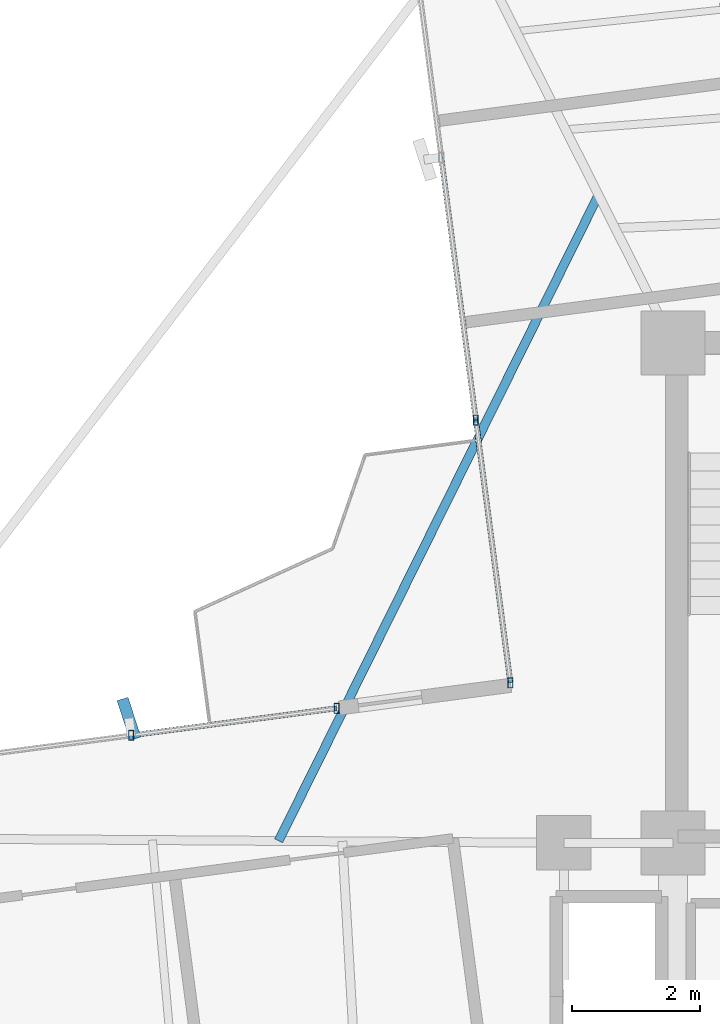
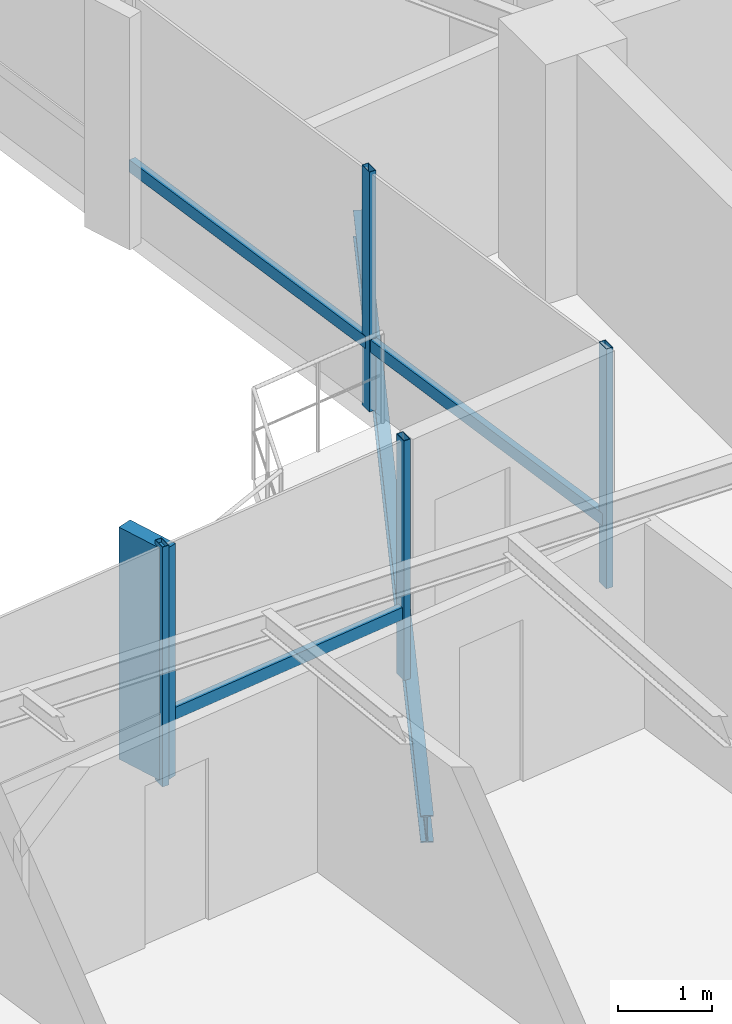
# One storey, part 8 of 22: 8 members, 1 beam, 2 elements without a shape of their own.
"""IFC4 building model written with IfcOpenShell, lengths in metres."""

from ifc_helpers import new_model, si_unit, direction, frame, origin, origin_2d, place, context, subcontext, project, spatial, rectangle, hollow_rectangle, i_section, extrude, source, transform, mapped, material, material_profile, profile_set, type_object, element, aggregate, save


model = new_model("IFC4")

# Units and contexts
model_context = context("Model", 3, precision=1e-05, world=origin(), true_north=direction((0.0, 1.0)))
body_context = subcontext(model_context, "Body", "Model", "MODEL_VIEW")
ifc_project = project(units=[si_unit("LENGTHUNIT", "METRE"), si_unit("AREAUNIT", "SQUARE_METRE"), si_unit("VOLUMEUNIT", "CUBIC_METRE"), si_unit("PLANEANGLEUNIT", "RADIAN"), si_unit("MASSUNIT", "GRAM", prefix="KILO")], contexts=[model_context])

# Site, building, storey
site_placement = place(None, origin())
site = spatial("IfcSite", under=ifc_project, at=site_placement, CompositionType="ELEMENT")
building_placement = place(site_placement, origin())
building = spatial("IfcBuilding", under=site, at=building_placement, Name="Sahyath Konkavel Grand Hotel", CompositionType="ELEMENT")
storey_placement = place(building_placement, frame((0.0, 0.0, 223.25)))
storey = spatial("IfcBuildingStorey", under=building, at=storey_placement, Name="L62", CompositionType="ELEMENT", Elevation=223.25)

# Curtain wall, member
ifc_material_1 = material(Name="Anodised Bronze Aluminium & Low-E Glazing", Category="aluminium")
curtain_wall_type = type_object("IfcCurtainWallType", Name="CW-ZONE4", PredefinedType="NOTDEFINED", material=ifc_material_1)
curtain_wall_1_placement = place(storey_placement, origin())
curtain_wall_1 = element("IfcCurtainWall", 1, at=curtain_wall_1_placement, inside=storey, type_object=curtain_wall_type, Name="L62 Unitised Curtain Wall F16", PredefinedType="NOTDEFINED")
ifc_material_2 = material(Name="Warm Buff Sandstone Cladding on Concrete C50/60", Category="masonry")
ifc_material_profile_1 = material_profile(ifc_material_2, rectangle(XDim=0.179931640625, YDim=0.64990234375, at=origin_2d()), Name="FIN 180x650")
ifc_profile_set_1 = profile_set([ifc_material_profile_1], Name="Warm Buff Sandstone Cladding on Concrete C50/60")
member_type_1 = type_object("IfcMemberType", Name="FIN-SANDSTONE-650", PredefinedType="MULLION", material=ifc_profile_set_1)
shared_shape_1 = source(origin(), body_context, "Body", "SweptSolid", [
    extrude(rectangle(XDim=0.179931640625, YDim=0.64990234375, at=origin_2d()), origin(), (0.0, 0.0, 1.0), 3.010009765625),
])
member_1_placement = place(storey_placement, frame((-12.28662109375, 4.33544921875, 0.050048828125), z_axis=(0.0, 0.0, 1.0), x_axis=(0.951648033235, 0.307190528564, 0.0)))
member_1 = element("IfcMember", 2, at=member_1_placement, type_object=member_type_1, Name="L62 Sandstone Vertical Solar Fin FIN F16-1", PredefinedType="MULLION", context=body_context, shape_type="MappedRepresentation", body=[
    mapped(shared_shape_1, transform((0.0, 0.0, 0.0), scale=1.0)),
])

# Curtain wall, members
curtain_wall_2_placement = place(storey_placement, origin())
curtain_wall_2 = element("IfcCurtainWall", 3, at=curtain_wall_2_placement, inside=storey, type_object=curtain_wall_type, Name="L62 Unitised Curtain Wall F15", PredefinedType="NOTDEFINED")
ifc_material_3 = material(Name="Anodised Bronze Aluminium", Category="aluminium")
ifc_material_profile_2 = material_profile(ifc_material_3, hollow_rectangle(XDim=0.080078125, YDim=0.159912109375, WallThickness=0.006103515625, at=origin_2d()), Name="RHS 160x80x6")
ifc_profile_set_2 = profile_set([ifc_material_profile_2], Name="Anodised Bronze Aluminium")
member_type_2 = type_object("IfcMemberType", Name="CW-MUL-160", PredefinedType="MULLION", material=ifc_profile_set_2)
shared_shape_2 = source(origin(), body_context, "Body", "SweptSolid", [
    extrude(hollow_rectangle(XDim=0.080078125, YDim=0.159912109375, WallThickness=0.006103515625, at=origin_2d()), origin(), (0.0, 0.0, 1.0), 3.110107421875),
])
member_2_placement = place(storey_placement, frame((-6.875, 8.995361328125, 0.0), z_axis=(0.0, 0.0, 1.0), x_axis=(1.0, 0.0, 0.0)))
member_2 = element("IfcMember", 4, at=member_2_placement, type_object=member_type_2, Name="L62 Curtain Wall Mullion F15-2", PredefinedType="MULLION", context=body_context, shape_type="MappedRepresentation", body=[
    mapped(shared_shape_2, transform((0.0, 0.0, 0.0), scale=1.0)),
])
member_3_placement = place(storey_placement, frame((-6.33544921875, 4.89697265625, 0.0), z_axis=(0.0, 0.0, 1.0), x_axis=(1.0, 0.0, 0.0)))
member_3 = element("IfcMember", 5, at=member_3_placement, type_object=member_type_2, Name="L62 Curtain Wall Mullion F15-3", PredefinedType="MULLION", context=body_context, shape_type="MappedRepresentation", body=[
    mapped(shared_shape_2, transform((0.0, 0.0, 0.0), scale=1.0)),
])

# Member
member_4_placement = place(storey_placement, frame((-9.046875, 4.499755859375, 0.0), z_axis=(0.0, 0.0, 1.0), x_axis=(1.0, 0.0, 0.0)))
member_4 = element("IfcMember", 6, at=member_4_placement, type_object=member_type_2, Name="L62 Curtain Wall Mullion F16-0", PredefinedType="MULLION", context=body_context, shape_type="MappedRepresentation", body=[
    mapped(shared_shape_2, transform((0.0, 0.0, 0.0), scale=1.0)),
])

member_5_placement = place(storey_placement, frame((-12.252685546875, 4.07763671875, 0.0), z_axis=(0.0, 0.0, 1.0), x_axis=(1.0, 0.0, 0.0)))
member_5 = element("IfcMember", 7, at=member_5_placement, type_object=member_type_2, Name="L62 Curtain Wall Mullion F16-1", PredefinedType="MULLION", context=body_context, shape_type="MappedRepresentation", body=[
    mapped(shared_shape_2, transform((0.0, 0.0, 0.0), scale=1.0)),
])

ifc_material_profile_3 = material_profile(ifc_material_3, hollow_rectangle(XDim=0.080078125, YDim=0.159912109375, WallThickness=0.006103515625, at=origin_2d()), Name="RHS 160x80x6")
ifc_profile_set_3 = profile_set([ifc_material_profile_3], Name="Anodised Bronze Aluminium")
member_type_3 = type_object("IfcMemberType", Name="CW-TRN-160", PredefinedType="USERDEFINED", material=ifc_profile_set_3)
shared_shape_3 = source(origin(), body_context, "Body", "SweptSolid", [
    extrude(hollow_rectangle(XDim=0.080078125, YDim=0.159912109375, WallThickness=0.006103515625, at=origin_2d()), origin(), (0.0, 0.0, 1.0), 3.2333984375),
])
member_6_placement = place(storey_placement, frame((-9.046875, 4.499755859375, 0.85009765625), z_axis=(-0.991442212719, -0.130546309176, 0.0), x_axis=(0.130546309176, -0.991442212719, 0.0)))
member_6 = element("IfcMember", 8, at=member_6_placement, type_object=member_type_3, Name="L62 Curtain Wall Transom F16-0-spandrel", ObjectType="TRANSOM", PredefinedType="USERDEFINED", context=body_context, shape_type="MappedRepresentation", body=[
    mapped(shared_shape_3, transform((0.0, 0.0, 0.0), scale=1.0)),
])

aggregate(curtain_wall_1, [member_4, member_5, member_1, member_6])

shared_shape_4 = source(origin(), body_context, "Body", "SweptSolid", [
    extrude(hollow_rectangle(XDim=0.080078125, YDim=0.159912109375, WallThickness=0.006103515625, at=origin_2d()), origin(), (0.0, 0.0, 1.0), 4.1337890625),
])
member_7_placement = place(storey_placement, frame((-6.875, 8.995361328125, 0.85009765625), z_axis=(0.130523261824, -0.991445247163, 0.0), x_axis=(0.991445247163, 0.130523261824, 0.0)))
member_7 = element("IfcMember", 9, at=member_7_placement, type_object=member_type_3, Name="L62 Curtain Wall Transom F15-2-spandrel", ObjectType="TRANSOM", PredefinedType="USERDEFINED", context=body_context, shape_type="MappedRepresentation", body=[
    mapped(shared_shape_4, transform((0.0, 0.0, 0.0), scale=1.0)),
])

shared_shape_5 = source(origin(), body_context, "Body", "SweptSolid", [
    extrude(hollow_rectangle(XDim=0.080078125, YDim=0.159912109375, WallThickness=0.006103515625, at=origin_2d()), origin(), (0.0, 0.0, 1.0), 4.133544921875),
])
member_8_placement = place(storey_placement, frame((-7.41455078125, 13.093505859375, 0.85009765625), z_axis=(0.130530905064, -0.991444240905, 0.0), x_axis=(0.991444240905, 0.130530905064, 0.0)))
member_8 = element("IfcMember", 10, at=member_8_placement, type_object=member_type_3, Name="L62 Curtain Wall Transom F15-1-spandrel", ObjectType="TRANSOM", PredefinedType="USERDEFINED", context=body_context, shape_type="MappedRepresentation", body=[
    mapped(shared_shape_5, transform((0.0, 0.0, 0.0), scale=1.0)),
])

aggregate(curtain_wall_2, [member_2, member_3, member_8, member_7])

# Beam
ifc_material_4 = material(Name="Steel E350", Category="steel")
ifc_material_profile_4 = material_profile(ifc_material_4, i_section(OverallWidth=0.139892578125, OverallDepth=0.35009765625, WebThickness=0.008056640625, FlangeThickness=0.01416015625, FilletRadius=0.013916015625, at=origin_2d()), Name="ISMB 350")
ifc_profile_set_4 = profile_set([ifc_material_profile_4], Name="Steel E350")
beam_type = type_object("IfcBeamType", Name="BM-BALC-CANT", PredefinedType="BEAM", material=ifc_profile_set_4)
shared_shape_6 = source(origin(), body_context, "Body", "SweptSolid", [
    extrude(i_section(OverallWidth=0.139892578125, OverallDepth=0.35009765625, WebThickness=0.008056640625, FlangeThickness=0.01416015625, FilletRadius=0.013916015625, at=origin_2d()), origin(), (0.0, 0.0, 1.0), 11.245361328125),
])
beam_placement = place(storey_placement, frame((-4.960693359375, 12.50830078125, -0.4150390625), z_axis=(-0.443780080515, -0.896135726404, 0.0), x_axis=(0.896135726404, -0.443780080515, 0.0)))
element("IfcBeam", 11, at=beam_placement, inside=storey, type_object=beam_type, Name="L62 Balcony Cantilever Support Beam NW", PredefinedType="BEAM", context=body_context, shape_type="MappedRepresentation", body=[
    mapped(shared_shape_6, transform((0.0, 0.0, 0.0), scale=1.0)),
])

save(model, "model.ifc")
